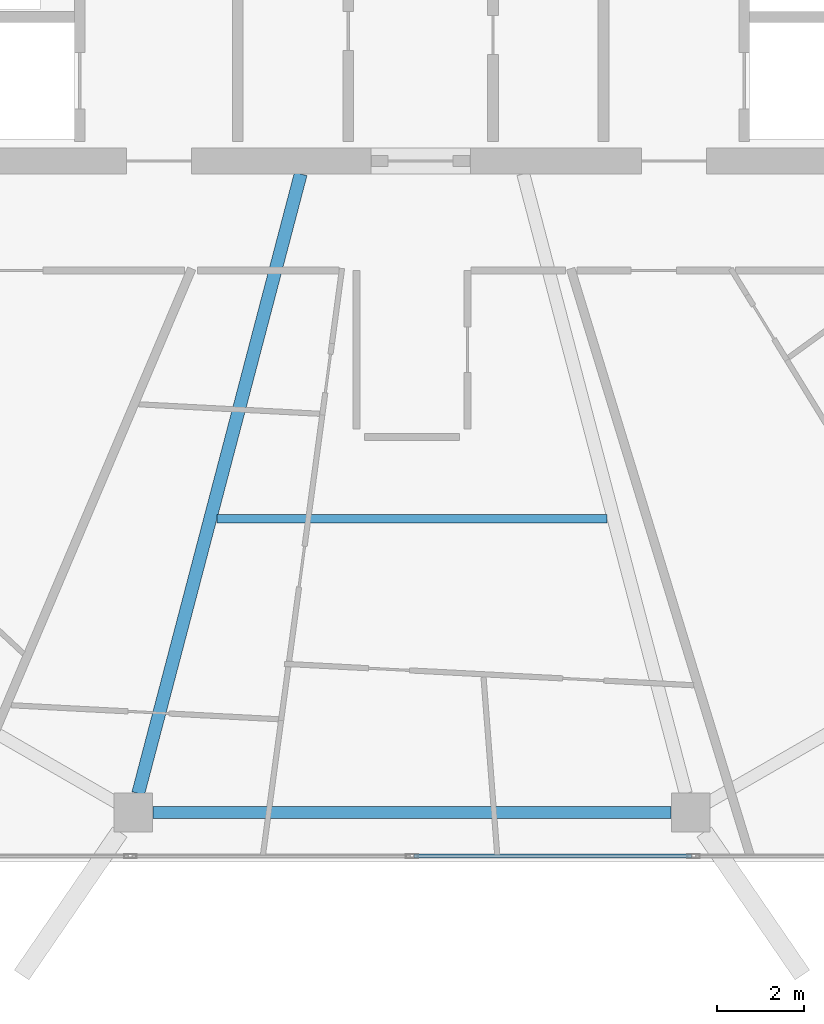
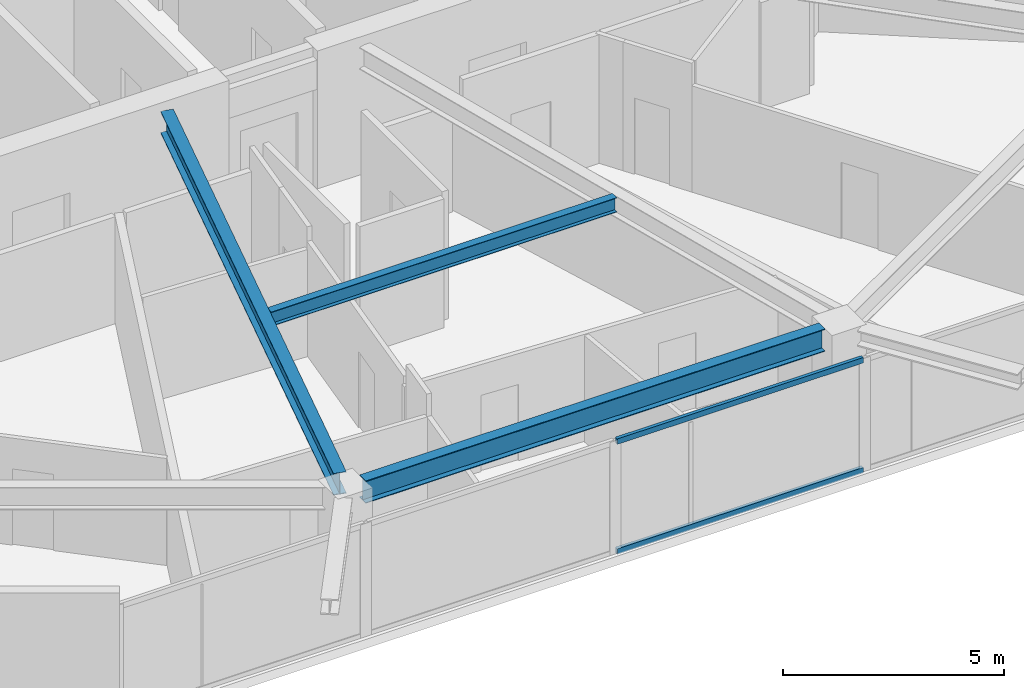
# One storey, part 4 of 25: 3 beams, 2 members, 1 element without a shape of its own.
"""IFC4 building model written with IfcOpenShell, lengths in metres."""

from ifc_helpers import new_model, si_unit, direction, frame, origin, origin_2d, place, context, subcontext, project, spatial, hollow_rectangle, i_section, extrude, material, material_profile, profile_set, type_object, element, aggregate, save


model = new_model("IFC4")

# Units and contexts
model_context = context("Model", 3, precision=1e-05, world=origin(), true_north=direction((0.0, 1.0)))
body_context = subcontext(model_context, "Body", "Model", "MODEL_VIEW")
ifc_project = project(units=[si_unit("LENGTHUNIT", "METRE"), si_unit("AREAUNIT", "SQUARE_METRE"), si_unit("VOLUMEUNIT", "CUBIC_METRE"), si_unit("PLANEANGLEUNIT", "RADIAN"), si_unit("MASSUNIT", "GRAM", prefix="KILO")], contexts=[model_context])

# Site, building, storey
site_placement = place(None, origin())
site = spatial("IfcSite", under=ifc_project, at=site_placement, CompositionType="ELEMENT")
building_placement = place(site_placement, origin())
building = spatial("IfcBuilding", under=site, at=building_placement, Name="Zuhravey Tower", CompositionType="ELEMENT")
storey_placement = place(building_placement, frame((0.0, 0.0, 257.800048828125)))
storey = spatial("IfcBuildingStorey", under=building, at=storey_placement, Name="L65", CompositionType="ELEMENT", Elevation=257.800048828125)

# Curtain wall, members
ifc_material_1 = material(Name="Thermally broken anodised aluminium", Category="aluminium")
curtain_wall_type = type_object("IfcCurtainWallType", Name="Zone 3-4 High-Rise Curtain Wall CW4", PredefinedType="NOTDEFINED", material=ifc_material_1)
curtain_wall_placement = place(storey_placement, origin())
curtain_wall = element("IfcCurtainWall", 1, at=curtain_wall_placement, inside=storey, type_object=curtain_wall_type, Name="L65 CW4 CW-L65-F5-1", PredefinedType="NOTDEFINED")
ifc_material_2 = material(Name="Anodised aluminium", Category="aluminium")
ifc_material_profile_1 = material_profile(ifc_material_2, hollow_rectangle(XDim=0.090087890625, YDim=0.14990234375, WallThickness=0.0048828125, at=origin_2d()), Name="ALU-RHS-90x150x5")
ifc_profile_set_1 = profile_set([ifc_material_profile_1], Name="Anodised aluminium")
member_type = type_object("IfcMemberType", Name="Curtain-Wall Transom 90x150", PredefinedType="USERDEFINED", material=ifc_profile_set_1)
member_1_placement = place(storey_placement, frame((42.46142578125, 6.436279296875, 0.044921875), z_axis=(-1.0, 0.0, 0.0), x_axis=(0.0, -1.0, 0.0)))
member_1 = element("IfcMember", 2, at=member_1_placement, type_object=member_type, Name="CW4 transom 2.1", ObjectType="TRANSOM", PredefinedType="USERDEFINED", context=body_context, shape_type="SweptSolid", body=[
    extrude(hollow_rectangle(XDim=0.090087890625, YDim=0.14990234375, WallThickness=0.0048828125, at=origin_2d()), origin(), (0.0, 0.0, 1.0), 6.41650390625),
])
member_2_placement = place(storey_placement, frame((42.46142578125, 6.436279296875, 3.076904296875), z_axis=(-1.0, 0.0, 0.0), x_axis=(0.0, -1.0, 0.0)))
member_2 = element("IfcMember", 3, at=member_2_placement, type_object=member_type, Name="CW4 transom 2.2", ObjectType="TRANSOM", PredefinedType="USERDEFINED", context=body_context, shape_type="SweptSolid", body=[
    extrude(hollow_rectangle(XDim=0.090087890625, YDim=0.14990234375, WallThickness=0.0048828125, at=origin_2d()), origin(), (0.0, 0.0, 1.0), 6.41650390625),
])
aggregate(curtain_wall, [member_1, member_2])

# Beams
ifc_material_3 = material(Name="Steel SM355", Category="steel")
ifc_material_profile_2 = material_profile(ifc_material_3, i_section(OverallWidth=0.280029296875, OverallDepth=0.6201171875, WebThickness=0.011962890625, FlangeThickness=0.02001953125, at=origin_2d()), Name="H-620x280x12x20")
ifc_profile_set_2 = profile_set([ifc_material_profile_2], Name="Steel SM355")
beam_type_1 = type_object("IfcBeamType", Name="Perimeter Ring Beam H620x280", PredefinedType="BEAM", material=ifc_profile_set_2)
beam_1_placement = place(storey_placement, frame((30.01220703125, 7.4462890625, 3.239990234375), z_axis=(1.0, 0.0, 0.0), x_axis=(0.0, 1.0, 0.0)))
element("IfcBeam", 4, at=beam_1_placement, inside=storey, type_object=beam_type_1, Name="L65 PB3 BM-L65-PB-09", PredefinedType="BEAM", context=body_context, shape_type="SweptSolid", body=[
    extrude(i_section(OverallWidth=0.280029296875, OverallDepth=0.6201171875, WebThickness=0.011962890625, FlangeThickness=0.02001953125, at=origin_2d()), origin(), (0.0, 0.0, 1.0), 11.9755859375),
])
ifc_material_profile_3 = material_profile(ifc_material_3, i_section(OverallWidth=0.300048828125, OverallDepth=0.60009765625, WebThickness=0.011962890625, FlangeThickness=0.02001953125, at=origin_2d()), Name="H-600x300x12x20")
ifc_profile_set_3 = profile_set([ifc_material_profile_3], Name="Steel SM355")
beam_type_2 = type_object("IfcBeamType", Name="Radial Primary Girder H600x300", PredefinedType="BEAM", material=ifc_profile_set_3)
beam_2_placement = place(storey_placement, frame((33.428466796875, 22.197021484375, 3.25), z_axis=(-0.253731415841, -0.967274712073, 0.0), x_axis=(0.967274712073, -0.253731415841, 0.0)))
element("IfcBeam", 5, at=beam_2_placement, inside=storey, type_object=beam_type_2, Name="L65 RG3 BM-L65-RAD-09", PredefinedType="BEAM", context=body_context, shape_type="SweptSolid", body=[
    extrude(i_section(OverallWidth=0.300048828125, OverallDepth=0.60009765625, WebThickness=0.011962890625, FlangeThickness=0.02001953125, at=origin_2d()), origin(), (0.0, 0.0, 1.0), 14.796630859375),
])
ifc_material_profile_4 = material_profile(ifc_material_3, i_section(OverallWidth=0.199951171875, OverallDepth=0.39990234375, WebThickness=0.008056640625, FlangeThickness=0.012939453125, at=origin_2d()), Name="H-400x200x8x13")
ifc_profile_set_4 = profile_set([ifc_material_profile_4], Name="Steel SM355")
beam_type_3 = type_object("IfcBeamType", Name="Secondary Floor Joist H400x200", PredefinedType="JOIST", material=ifc_profile_set_4)
beam_3_placement = place(storey_placement, frame((31.492919921875, 14.231689453125, 3.349853515625), z_axis=(1.0, 0.0, 0.0), x_axis=(0.0, 1.0, 0.0)))
element("IfcBeam", 6, at=beam_3_placement, inside=storey, type_object=beam_type_3, Name="L65 SJ2 BM-L65-SJ-09-1", PredefinedType="JOIST", context=body_context, shape_type="SweptSolid", body=[
    extrude(i_section(OverallWidth=0.199951171875, OverallDepth=0.39990234375, WebThickness=0.008056640625, FlangeThickness=0.012939453125, at=origin_2d()), origin(), (0.0, 0.0, 1.0), 9.01416015625),
])

save(model, "model.ifc")
